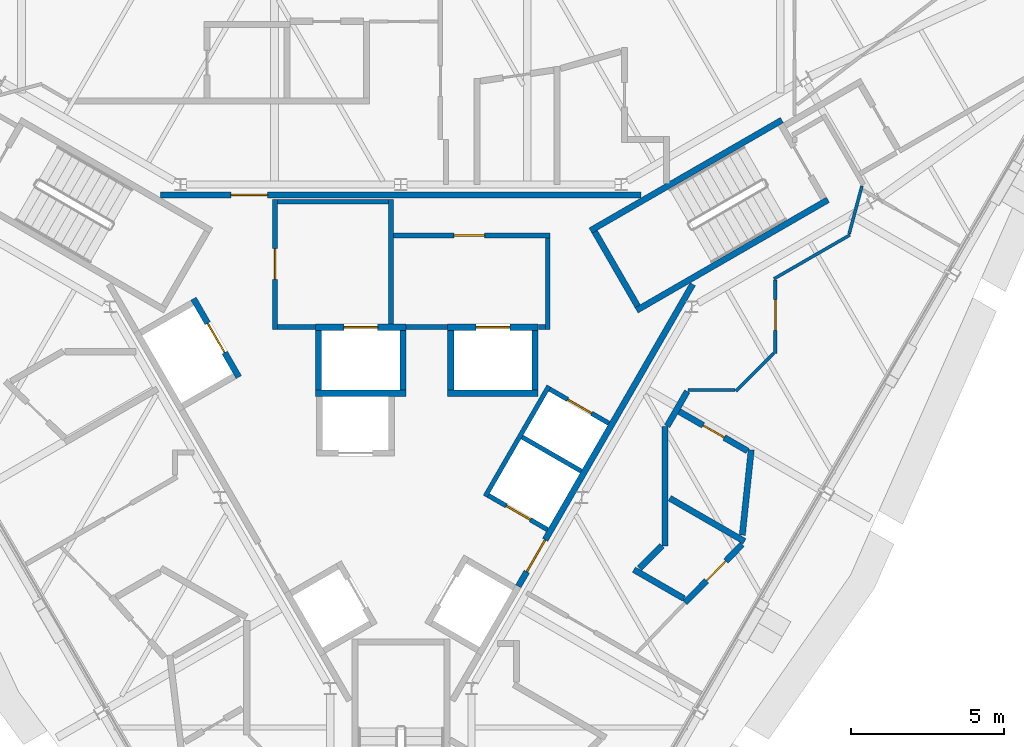
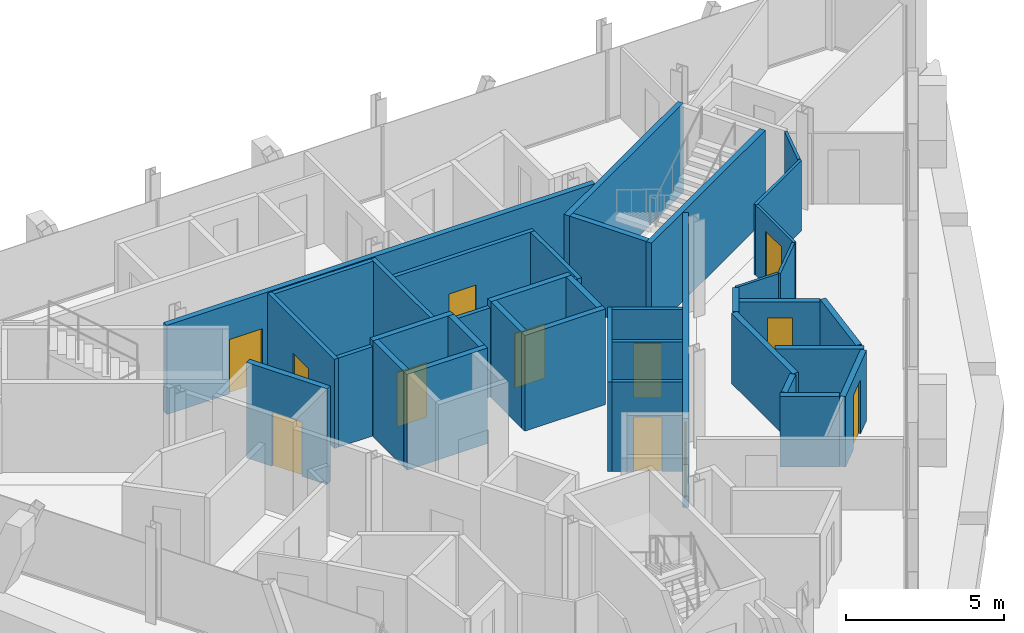
# One storey, part 10 of 14: 39 walls, 12 doors, 12 openings.
"""IFC4 building model written with IfcOpenShell, lengths in metres."""

from ifc_helpers import new_model, si_unit, direction, frame, frame_2d, origin, place, context, subcontext, project, spatial, rectangle, extrude, material, layer, layer_set, type_object, element, fill, save


model = new_model("IFC4")

# Units and contexts
model_context = context("Model", 3, precision=1e-05, world=origin(), true_north=direction((0.0, 1.0)))
body_context = subcontext(model_context, "Body", "Model", "MODEL_VIEW")
ifc_project = project(units=[si_unit("LENGTHUNIT", "METRE"), si_unit("AREAUNIT", "SQUARE_METRE"), si_unit("VOLUMEUNIT", "CUBIC_METRE"), si_unit("PLANEANGLEUNIT", "RADIAN"), si_unit("MASSUNIT", "GRAM", prefix="KILO")], contexts=[model_context])

# Site, building, storey
site_placement = place(None, origin())
site = spatial("IfcSite", under=ifc_project, at=site_placement, CompositionType="ELEMENT")
building_placement = place(site_placement, origin())
building = spatial("IfcBuilding", under=site, at=building_placement, Name="Verrane Prism Tower", CompositionType="ELEMENT")
storey_placement = place(building_placement, frame((0.0, 0.0, 293.60009765625)))
storey = spatial("IfcBuildingStorey", under=building, at=storey_placement, Name="L74", CompositionType="ELEMENT", Elevation=293.60009765625)

# Wall, opening, door
ifc_material_1 = material(Name="Gypsum board partition", Category="other")
ifc_layer_1 = layer(ifc_material_1, 0.199951171875)
ifc_layer_set_1 = layer_set([ifc_layer_1], Name="CW-200 core boundary wall 2 h")
wall_type_1 = type_object("IfcWallType", Name="CW-200 core boundary wall 2 h", PredefinedType="PARTITIONING", material=ifc_layer_set_1)
wall_1_placement = place(storey_placement, frame((7.8291015625, 6.4599609375, 0.0), z_axis=(0.0, 0.0, 1.0), x_axis=(-1.0, 0.0, 0.0)))
wall_1 = element("IfcWall", 1, at=wall_1_placement, inside=storey, type_object=wall_type_1, Name="Core boundary wall CW3-002", PredefinedType="PARTITIONING", context=body_context, shape_type="SweptSolid", body=[
    extrude(rectangle(XDim=15.658203125, YDim=0.199951171875, at=frame_2d((7.8291015625, 0.0))), origin(), (0.0, 0.0, 1.0), 3.449951171875),
])
opening_1_placement = place(wall_1_placement, frame((12.16796875, 0.0, 0.0)))
opening_1 = element("IfcOpeningElement", 2, at=opening_1_placement, cuts=wall_1, Name="Opening D72509", PredefinedType="OPENING", context=body_context, shape_type="SweptSolid", body=[
    extrude(rectangle(XDim=1.199951171875, YDim=2.10009765625, at=frame_2d((0.60009765625, 1.050048828125))), frame((0.0, 0.10986328125, 0.0), z_axis=(0.0, -1.0, 0.0), x_axis=(1.0, 0.0, 0.0)), (0.0, 0.0, 1.0), 0.219970703125),
])
ifc_material_2 = material(Name="Timber veneered door leaf", Category="wood")
door_type_1 = type_object("IfcDoorType", Name="DR-1200x2100 FD60 single leaf lift lobby", OperationType="NOTDEFINED", PredefinedType="DOOR", material=ifc_material_2)
door_1_placement = place(opening_1_placement, origin())
door_1 = element("IfcDoor", 3, at=door_1_placement, inside=storey, type_object=door_type_1, Name="Lift lobby door D72509", OperationType="SINGLE_SWING_RIGHT", OverallHeight=2.10009765625, OverallWidth=1.199951171875, PredefinedType="DOOR", context=body_context, shape_type="SweptSolid", body=[
    extrude(rectangle(XDim=1.199951171875, YDim=2.10009765625, at=frame_2d((0.60009765625, 1.050048828125))), frame((0.0, 0.02490234375, 0.0), z_axis=(0.0, -1.0, 0.0), x_axis=(1.0, 0.0, 0.0)), (0.0, 0.0, 1.0), 0.050048828125),
])
fill(opening_1, door_1)

wall_2_placement = place(storey_placement, frame((3.827880859375, -6.2900390625, 0.0), z_axis=(0.0, 0.0, 1.0), x_axis=(0.499979739078, 0.866037101117, 0.0)))
wall_2 = element("IfcWall", 4, at=wall_2_placement, inside=storey, type_object=wall_type_1, Name="Core boundary wall CW3-006", PredefinedType="PARTITIONING", context=body_context, shape_type="SweptSolid", body=[
    extrude(rectangle(XDim=11.36279296875, YDim=0.199951171875, at=frame_2d((5.681396484375, 0.0))), origin(), (0.0, 0.0, 1.0), 3.449951171875),
])
opening_2_placement = place(wall_2_placement, frame((0.550048828125, 0.0, 0.0)))
opening_2 = element("IfcOpeningElement", 5, at=opening_2_placement, cuts=wall_2, Name="Opening D72514", PredefinedType="OPENING", context=body_context, shape_type="SweptSolid", body=[
    extrude(rectangle(XDim=1.199951171875, YDim=2.10009765625, at=frame_2d((0.60009765625, 1.050048828125))), frame((0.0, 0.10986328125, 0.0), z_axis=(0.0, -1.0, 0.0), x_axis=(1.0, 0.0, 0.0)), (0.0, 0.0, 1.0), 0.219970703125),
])
door_2_placement = place(opening_2_placement, origin())
door_2 = element("IfcDoor", 6, at=door_2_placement, inside=storey, type_object=door_type_1, Name="Lift lobby door D72514", OperationType="SINGLE_SWING_RIGHT", OverallHeight=2.10009765625, OverallWidth=1.199951171875, PredefinedType="DOOR", context=body_context, shape_type="SweptSolid", body=[
    extrude(rectangle(XDim=1.199951171875, YDim=2.10009765625, at=frame_2d((0.60009765625, 1.050048828125))), frame((0.0, 0.02490234375, 0.0), z_axis=(0.0, -1.0, 0.0), x_axis=(1.0, 0.0, 0.0)), (0.0, 0.0, 1.0), 0.050048828125),
])
fill(opening_2, door_2)

# Walls
ifc_material_3 = material(Name="Concrete C40/50", Category="concrete")
ifc_layer_2 = layer(ifc_material_3, 0.199951171875)
ifc_layer_set_2 = layer_set([ifc_layer_2], Name="CW-200 stair core wall concrete C40/50 3 h")
wall_type_2 = type_object("IfcWallType", Name="CW-200 stair core wall concrete C40/50 3 h", PredefinedType="PARTITIONING", material=ifc_layer_set_2)
for number, where, z_axis, x_axis, name in (
    (7, (6.17822265625, 5.299072265625, 0.0), (0.0, 0.0, 1.0), (0.866033125095, 0.499986626058, 0.0), "Stair 1 enclosure wall"),
    (8, (7.67822265625, 2.700927734375, 0.0), (0.0, 0.0, 1.0), (0.866018442252, 0.500012057535, 0.0), "Stair 1 enclosure wall"),
):
    element("IfcWall", number, at=place(storey_placement, frame(where, z_axis=z_axis, x_axis=x_axis)), inside=storey, type_object=wall_type_2, Name=name, PredefinedType="PARTITIONING", context=body_context, shape_type="SweptSolid", body=[
        extrude(rectangle(XDim=7.199951171875, YDim=0.199951171875, at=frame_2d((3.60009765625, 0.0))), origin(), (0.0, 0.0, 1.0), 3.449951171875),
    ])
wall_3_placement = place(storey_placement, frame((7.71484375, 2.837646484375, 0.0), z_axis=(0.0, 0.0, 1.0), x_axis=(-0.500049511043, 0.865996816683, 0.0)))
element("IfcWall", 9, at=wall_3_placement, inside=storey, type_object=wall_type_2, Name="Stair 1 enclosure wall", PredefinedType="PARTITIONING", context=body_context, shape_type="SweptSolid", body=[
    extrude(rectangle(XDim=2.800048828125, YDim=0.199951171875, at=frame_2d((1.39990234375, 0.0))), origin(), (0.0, 0.0, 1.0), 3.449951171875),
])
ifc_material_4 = material(Name="Gypsum board shaft wall assembly", Category="other")
ifc_layer_3 = layer(ifc_material_4, 0.199951171875)
ifc_layer_set_3 = layer_set([ifc_layer_3], Name="HW-200 lift shaft wall 2 h")
wall_type_3 = type_object("IfcWallType", Name="HW-200 lift shaft wall 2 h", PredefinedType="PARTITIONING", material=ifc_layer_set_3)
wall_4_placement = place(storey_placement, frame((-2.784912109375, 0.0, 0.0), z_axis=(0.0, 0.0, 1.0), x_axis=(1.0, 0.0, 0.0)))
element("IfcWall", 10, at=wall_4_placement, inside=storey, type_object=wall_type_3, Name="Lift shaft wall", PredefinedType="PARTITIONING", context=body_context, shape_type="SweptSolid", body=[
    extrude(rectangle(XDim=2.949951171875, YDim=0.199951171875, at=frame_2d((1.47509765625, 0.0))), origin(), (0.0, 0.0, 1.0), 3.699951171875),
])
wall_5_placement = place(storey_placement, frame((1.52490234375, 0.0, 0.0), z_axis=(0.0, 0.0, 1.0), x_axis=(1.0, 0.0, 0.0)))
element("IfcWall", 11, at=wall_5_placement, inside=storey, type_object=wall_type_3, Name="Lift shaft wall", PredefinedType="PARTITIONING", context=body_context, shape_type="SweptSolid", body=[
    extrude(rectangle(XDim=2.9501953125, YDim=0.199951171875, at=frame_2d((1.47509765625, 0.0))), origin(), (0.0, 0.0, 1.0), 3.699951171875),
])

# Wall, opening, door
wall_6_placement = place(storey_placement, frame((-2.784912109375, 2.14990234375, 0.0), z_axis=(0.0, 0.0, 1.0), x_axis=(1.0, 0.0, 0.0)))
wall_6 = element("IfcWall", 12, at=wall_6_placement, inside=storey, type_object=wall_type_3, Name="Lift shaft wall", PredefinedType="PARTITIONING", context=body_context, shape_type="SweptSolid", body=[
    extrude(rectangle(XDim=2.949951171875, YDim=0.199951171875, at=frame_2d((1.47509765625, 0.0))), origin(), (0.0, 0.0, 1.0), 3.699951171875),
])
opening_3_placement = place(wall_6_placement, frame((0.925048828125, 0.0, 0.0)))
opening_3 = element("IfcOpeningElement", 13, at=opening_3_placement, cuts=wall_6, Name="Opening D72506", PredefinedType="OPENING", context=body_context, shape_type="SweptSolid", body=[
    extrude(rectangle(XDim=1.10009765625, YDim=2.10009765625, at=frame_2d((0.550048828125, 1.050048828125))), frame((0.0, 0.10986328125, 0.0), z_axis=(0.0, -1.0, 0.0), x_axis=(1.0, 0.0, 0.0)), (0.0, 0.0, 1.0), 0.219970703125),
])
ifc_material_5 = material(Name="Stainless steel sliding landing door", Category="steel")
door_type_2 = type_object("IfcDoorType", Name="LD-1100x2100 lift landing door FD90 sliding", OperationType="NOTDEFINED", PredefinedType="DOOR", material=ifc_material_5)
door_3_placement = place(opening_3_placement, origin())
door_3 = element("IfcDoor", 14, at=door_3_placement, inside=storey, type_object=door_type_2, Name="Fire service lift 1 landing door", OperationType="SLIDING_TO_LEFT", OverallHeight=2.10009765625, OverallWidth=1.10009765625, PredefinedType="DOOR", context=body_context, shape_type="SweptSolid", body=[
    extrude(rectangle(XDim=1.10009765625, YDim=2.10009765625, at=frame_2d((0.550048828125, 1.050048828125))), frame((0.0, 0.02490234375, 0.0), z_axis=(0.0, -1.0, 0.0), x_axis=(1.0, 0.0, 0.0)), (0.0, 0.0, 1.0), 0.050048828125),
])
fill(opening_3, door_3)

wall_7_placement = place(storey_placement, frame((1.52490234375, 2.14990234375, 0.0), z_axis=(0.0, 0.0, 1.0), x_axis=(1.0, 0.0, 0.0)))
wall_7 = element("IfcWall", 15, at=wall_7_placement, inside=storey, type_object=wall_type_3, Name="Lift shaft wall", PredefinedType="PARTITIONING", context=body_context, shape_type="SweptSolid", body=[
    extrude(rectangle(XDim=2.9501953125, YDim=0.199951171875, at=frame_2d((1.47509765625, 0.0))), origin(), (0.0, 0.0, 1.0), 3.699951171875),
])
opening_4_placement = place(wall_7_placement, frame((0.925048828125, 0.0, 0.0)))
opening_4 = element("IfcOpeningElement", 16, at=opening_4_placement, cuts=wall_7, Name="Opening D72507", PredefinedType="OPENING", context=body_context, shape_type="SweptSolid", body=[
    extrude(rectangle(XDim=1.10009765625, YDim=2.10009765625, at=frame_2d((0.550048828125, 1.050048828125))), frame((0.0, 0.10986328125, 0.0), z_axis=(0.0, -1.0, 0.0), x_axis=(1.0, 0.0, 0.0)), (0.0, 0.0, 1.0), 0.219970703125),
])
door_4_placement = place(opening_4_placement, origin())
door_4 = element("IfcDoor", 17, at=door_4_placement, inside=storey, type_object=door_type_2, Name="Fire service lift 2 landing door", OperationType="SLIDING_TO_RIGHT", OverallHeight=2.10009765625, OverallWidth=1.10009765625, PredefinedType="DOOR", context=body_context, shape_type="SweptSolid", body=[
    extrude(rectangle(XDim=1.10009765625, YDim=2.10009765625, at=frame_2d((0.550048828125, 1.050048828125))), frame((0.0, 0.02490234375, 0.0), z_axis=(0.0, -1.0, 0.0), x_axis=(1.0, 0.0, 0.0)), (0.0, 0.0, 1.0), 0.050048828125),
])
fill(opening_4, door_4)

# Walls
for number, where, z_axis, x_axis, name in (
    (18, (4.375, 0.10009765625, 0.0), (0.0, 0.0, 1.0), (0.0, 1.0, 0.0), "Lift shaft wall"),
    (19, (1.625, 0.10009765625, 0.0), (0.0, 0.0, 1.0), (0.0, 1.0, 0.0), "Lift shaft wall"),
    (20, (0.06494140625, 0.10009765625, 0.0), (0.0, 0.0, 1.0), (0.0, 1.0, 0.0), "Lift shaft wall"),
    (21, (-2.68505859375, 0.10009765625, 0.0), (0.0, 0.0, 1.0), (0.0, 1.0, 0.0), "Lift shaft wall"),
):
    element("IfcWall", number, at=place(storey_placement, frame(where, z_axis=z_axis, x_axis=x_axis)), inside=storey, type_object=wall_type_3, Name=name, PredefinedType="PARTITIONING", context=body_context, shape_type="SweptSolid", body=[
        extrude(rectangle(XDim=1.949951171875, YDim=0.199951171875, at=frame_2d((0.97509765625, 0.0))), origin(), (0.0, 0.0, 1.0), 3.699951171875),
    ])

# Wall, opening, door
wall_8_placement = place(storey_placement, frame((-5.280029296875, 0.525390625, 0.0), z_axis=(0.0, 0.0, 1.0), x_axis=(-0.500037662692, 0.866003658127, 0.0)))
wall_8 = element("IfcWall", 22, at=wall_8_placement, inside=storey, type_object=wall_type_3, Name="Lift shaft wall", PredefinedType="PARTITIONING", context=body_context, shape_type="SweptSolid", body=[
    extrude(rectangle(XDim=2.949951171875, YDim=0.199951171875, at=frame_2d((1.47509765625, 0.0))), origin(), (0.0, 0.0, 1.0), 3.699951171875),
])
opening_5_placement = place(wall_8_placement, frame((0.925048828125, 0.0, 0.0)))
opening_5 = element("IfcOpeningElement", 23, at=opening_5_placement, cuts=wall_8, Name="Opening D72508", PredefinedType="OPENING", context=body_context, shape_type="SweptSolid", body=[
    extrude(rectangle(XDim=1.10009765625, YDim=2.10009765625, at=frame_2d((0.550048828125, 1.050048828125))), frame((0.0, 0.10986328125, 0.0), z_axis=(0.0, -1.0, 0.0), x_axis=(1.0, 0.0, 0.0)), (0.0, 0.0, 1.0), 0.219970703125),
])
door_5_placement = place(opening_5_placement, origin())
door_5 = element("IfcDoor", 24, at=door_5_placement, inside=storey, type_object=door_type_2, Name="Service lift 1 landing door", OperationType="SLIDING_TO_LEFT", OverallHeight=2.10009765625, OverallWidth=1.10009765625, PredefinedType="DOOR", context=body_context, shape_type="SweptSolid", body=[
    extrude(rectangle(XDim=1.10009765625, YDim=2.10009765625, at=frame_2d((0.550048828125, 1.050048828125))), frame((0.0, 0.02490234375, 0.0), z_axis=(0.0, -1.0, 0.0), x_axis=(1.0, 0.0, 0.0)), (0.0, 0.0, 1.0), 0.050048828125),
])
fill(opening_5, door_5)

ifc_material_6 = material(Name="Gypsum board partition", Category="other")
ifc_layer_4 = layer(ifc_material_6, 0.14990234375)
ifc_layer_set_4 = layer_set([ifc_layer_4], Name="LF-150 firefighting lobby wall 1 h")
wall_type_4 = type_object("IfcWallType", Name="LF-150 firefighting lobby wall 1 h", PredefinedType="PARTITIONING", material=ifc_layer_set_4)
wall_9_placement = place(storey_placement, frame((-4.10009765625, 2.0849609375, 0.0), z_axis=(0.0, 0.0, 1.0), x_axis=(0.0, 1.0, 0.0)))
wall_9 = element("IfcWall", 25, at=wall_9_placement, inside=storey, type_object=wall_type_4, Name="Firefighting lobby wall LF1-001", PredefinedType="PARTITIONING", context=body_context, shape_type="SweptSolid", body=[
    extrude(rectangle(XDim=4.22998046875, YDim=0.14990234375, at=frame_2d((2.114990234375, 0.0))), origin(), (0.0, 0.0, 1.0), 3.449951171875),
])
opening_6_placement = place(wall_9_placement, frame((1.625, 0.0, 0.0)))
opening_6 = element("IfcOpeningElement", 26, at=opening_6_placement, cuts=wall_9, Name="Opening D72511", PredefinedType="OPENING", context=body_context, shape_type="SweptSolid", body=[
    extrude(rectangle(XDim=1.0, YDim=2.10009765625, at=frame_2d((0.5, 1.050048828125))), frame((0.0, 0.0849609375, 0.0), z_axis=(0.0, -1.0, 0.0), x_axis=(1.0, 0.0, 0.0)), (0.0, 0.0, 1.0), 0.169921875),
])
ifc_material_7 = material(Name="Timber veneered door leaf", Category="wood")
door_type_3 = type_object("IfcDoorType", Name="DR-1000x2100 FD60 single leaf firefighting lobby", OperationType="NOTDEFINED", PredefinedType="DOOR", material=ifc_material_7)
door_6_placement = place(opening_6_placement, origin())
door_6 = element("IfcDoor", 27, at=door_6_placement, inside=storey, type_object=door_type_3, Name="Firefighting lobby door D72511", OperationType="SINGLE_SWING_RIGHT", OverallHeight=2.10009765625, OverallWidth=1.0, PredefinedType="DOOR", context=body_context, shape_type="SweptSolid", body=[
    extrude(rectangle(XDim=1.0, YDim=2.10009765625, at=frame_2d((0.5, 1.050048828125))), frame((0.0, 0.02490234375, 0.0), z_axis=(0.0, -1.0, 0.0), x_axis=(1.0, 0.0, 0.0)), (0.0, 0.0, 1.0), 0.050048828125),
])
fill(opening_6, door_6)

# Walls
wall_10_placement = place(storey_placement, frame((-4.02490234375, 2.159912109375, 0.0), z_axis=(0.0, 0.0, 1.0), x_axis=(1.0, 0.0, 0.0)))
element("IfcWall", 28, at=wall_10_placement, inside=storey, type_object=wall_type_4, Name="Firefighting lobby wall LF1-002", PredefinedType="PARTITIONING", context=body_context, shape_type="SweptSolid", body=[
    extrude(rectangle(XDim=1.23779296875, YDim=0.14990234375, at=frame_2d((0.618896484375, 0.0))), origin(), (0.0, 0.0, 1.0), 3.449951171875),
])
wall_11_placement = place(storey_placement, frame((-4.02490234375, 6.239990234375, 0.0), z_axis=(0.0, 0.0, 1.0), x_axis=(1.0, 0.0, 0.0)))
element("IfcWall", 29, at=wall_11_placement, inside=storey, type_object=wall_type_4, Name="Firefighting lobby wall LF1-003", PredefinedType="PARTITIONING", context=body_context, shape_type="SweptSolid", body=[
    extrude(rectangle(XDim=3.6298828125, YDim=0.14990234375, at=frame_2d((1.81494140625, 0.0))), origin(), (0.0, 0.0, 1.0), 3.449951171875),
])
wall_12_placement = place(storey_placement, frame((-0.320068359375, 2.251953125, 0.0), z_axis=(0.0, 0.0, 1.0), x_axis=(0.0, 1.0, 0.0)))
element("IfcWall", 30, at=wall_12_placement, inside=storey, type_object=wall_type_4, Name="Firefighting lobby wall LF1-004", PredefinedType="PARTITIONING", context=body_context, shape_type="SweptSolid", body=[
    extrude(rectangle(XDim=4.06298828125, YDim=0.14990234375, at=frame_2d((2.031494140625, 0.0))), origin(), (0.0, 0.0, 1.0), 3.449951171875),
])

# Wall, opening, door
wall_13_placement = place(storey_placement, frame((-0.2451171875, 5.139892578125, 0.0), z_axis=(0.0, 0.0, 1.0), x_axis=(1.0, 0.0, 0.0)))
wall_13 = element("IfcWall", 31, at=wall_13_placement, inside=storey, type_object=wall_type_4, Name="Firefighting lobby wall LF1-005", PredefinedType="PARTITIONING", context=body_context, shape_type="SweptSolid", body=[
    extrude(rectangle(XDim=5.110107421875, YDim=0.14990234375, at=frame_2d((2.55517578125, 0.0))), origin(), (0.0, 0.0, 1.0), 3.449951171875),
])
opening_7_placement = place(wall_13_placement, frame((1.97509765625, 0.0, 0.0)))
opening_7 = element("IfcOpeningElement", 32, at=opening_7_placement, cuts=wall_13, Name="Opening D72512", PredefinedType="OPENING", context=body_context, shape_type="SweptSolid", body=[
    extrude(rectangle(XDim=1.0, YDim=2.10009765625, at=frame_2d((0.5, 1.050048828125))), frame((0.0, 0.0849609375, 0.0), z_axis=(0.0, -1.0, 0.0), x_axis=(1.0, 0.0, 0.0)), (0.0, 0.0, 1.0), 0.169921875),
])
door_7_placement = place(opening_7_placement, origin())
door_7 = element("IfcDoor", 33, at=door_7_placement, inside=storey, type_object=door_type_3, Name="Firefighting lobby door D72512", OperationType="SINGLE_SWING_LEFT", OverallHeight=2.10009765625, OverallWidth=1.0, PredefinedType="DOOR", context=body_context, shape_type="SweptSolid", body=[
    extrude(rectangle(XDim=1.0, YDim=2.10009765625, at=frame_2d((0.5, 1.050048828125))), frame((0.0, 0.02490234375, 0.0), z_axis=(0.0, -1.0, 0.0), x_axis=(1.0, 0.0, 0.0)), (0.0, 0.0, 1.0), 0.050048828125),
])
fill(opening_7, door_7)

# Walls
wall_14_placement = place(storey_placement, frame((0.1669921875, 2.159912109375, 0.0), z_axis=(0.0, 0.0, 1.0), x_axis=(1.0, 0.0, 0.0)))
element("IfcWall", 34, at=wall_14_placement, inside=storey, type_object=wall_type_4, Name="Firefighting lobby wall LF1-006", PredefinedType="PARTITIONING", context=body_context, shape_type="SweptSolid", body=[
    extrude(rectangle(XDim=1.35595703125, YDim=0.14990234375, at=frame_2d((0.677978515625, 0.0))), origin(), (0.0, 0.0, 1.0), 3.449951171875),
])
wall_15_placement = place(storey_placement, frame((4.47705078125, 2.159912109375, 0.0), z_axis=(0.0, 0.0, 1.0), x_axis=(1.0, 0.0, 0.0)))
element("IfcWall", 35, at=wall_15_placement, inside=storey, type_object=wall_type_4, Name="Firefighting lobby wall LF1-007", PredefinedType="PARTITIONING", context=body_context, shape_type="SweptSolid", body=[
    extrude(rectangle(XDim=0.238037109375, YDim=0.14990234375, at=frame_2d((0.119140625, 0.0))), origin(), (0.0, 0.0, 1.0), 3.449951171875),
])
wall_16_placement = place(storey_placement, frame((4.7900390625, 2.0849609375, 0.0), z_axis=(0.0, 0.0, 1.0), x_axis=(0.0, 1.0, 0.0)))
element("IfcWall", 36, at=wall_16_placement, inside=storey, type_object=wall_type_4, Name="Firefighting lobby wall LF1-008", PredefinedType="PARTITIONING", context=body_context, shape_type="SweptSolid", body=[
    extrude(rectangle(XDim=2.97998046875, YDim=0.14990234375, at=frame_2d((1.489990234375, 0.0))), origin(), (0.0, 0.0, 1.0), 3.449951171875),
])
ifc_material_8 = material(Name="Gypsum board partition", Category="other")
ifc_layer_5 = layer(ifc_material_8, 0.10009765625)
ifc_layer_set_5 = layer_set([ifc_layer_5], Name="PW-100 room partition")
wall_type_5 = type_object("IfcWallType", Name="PW-100 room partition", PredefinedType="PARTITIONING", material=ifc_layer_set_5)
wall_17_placement = place(storey_placement, frame((9.35302734375, 0.10107421875, 0.0), z_axis=(0.0, 0.0, 1.0), x_axis=(1.0, 0.0, 0.0)))
element("IfcWall", 37, at=wall_17_placement, inside=storey, type_object=wall_type_5, Name="Room partition 067", PredefinedType="PARTITIONING", context=body_context, shape_type="SweptSolid", body=[
    extrude(rectangle(XDim=1.52587890625, YDim=0.10009765625, at=frame_2d((0.762939453125, 0.0))), origin(), (0.0, 0.0, 1.0), 2.722900390625),
])
wall_18_placement = place(storey_placement, frame((10.91357421875, 0.065673828125, 0.0), z_axis=(0.0, 0.0, 1.0), x_axis=(0.707106781187, 0.707106781187, 0.0)))
element("IfcWall", 38, at=wall_18_placement, inside=storey, type_object=wall_type_5, Name="Room partition 068", PredefinedType="PARTITIONING", context=body_context, shape_type="SweptSolid", body=[
    extrude(rectangle(XDim=1.747802734375, YDim=0.10009765625, at=frame_2d((0.8740234375, 0.0))), origin(), (0.0, 0.0, 1.0), 2.722900390625),
])

# Wall, opening, door
wall_19_placement = place(storey_placement, frame((12.198974609375, 3.681884765625, 0.0), z_axis=(0.0, 0.0, 1.0), x_axis=(0.0, -1.0, 0.0)))
wall_19 = element("IfcWall", 39, at=wall_19_placement, inside=storey, type_object=wall_type_5, Name="Room partition 070", PredefinedType="PARTITIONING", context=body_context, shape_type="SweptSolid", body=[
    extrude(rectangle(XDim=2.380859375, YDim=0.10009765625, at=frame_2d((1.1904296875, 0.0))), origin(), (0.0, 0.0, 1.0), 2.722900390625),
])
opening_8_placement = place(wall_19_placement, frame((0.631103515625, 0.0, 0.0)))
opening_8 = element("IfcOpeningElement", 40, at=opening_8_placement, cuts=wall_19, Name="Opening D72005", PredefinedType="OPENING", context=body_context, shape_type="SweptSolid", body=[
    extrude(rectangle(XDim=1.0, YDim=2.10009765625, at=frame_2d((0.5, 1.050048828125))), frame((0.0, 0.06005859375, 0.0), z_axis=(0.0, -1.0, 0.0), x_axis=(1.0, 0.0, 0.0)), (0.0, 0.0, 1.0), 0.1201171875),
])
ifc_material_9 = material(Name="Timber veneered door leaf", Category="wood")
door_type_4 = type_object("IfcDoorType", Name="DR-1000x2100 single leaf inner", OperationType="NOTDEFINED", PredefinedType="DOOR", material=ifc_material_9)
door_8_placement = place(opening_8_placement, origin())
door_8 = element("IfcDoor", 41, at=door_8_placement, inside=storey, type_object=door_type_4, Name="Entrance Foyer door", OperationType="SINGLE_SWING_RIGHT", OverallHeight=2.10009765625, OverallWidth=1.0, PredefinedType="DOOR", context=body_context, shape_type="SweptSolid", body=[
    extrude(rectangle(XDim=1.0, YDim=2.10009765625, at=frame_2d((0.5, 1.050048828125))), frame((0.0, 0.02490234375, 0.0), z_axis=(0.0, -1.0, 0.0), x_axis=(1.0, 0.0, 0.0)), (0.0, 0.0, 1.0), 0.050048828125),
])
fill(opening_8, door_8)

# Walls
wall_20_placement = place(storey_placement, frame((12.15576171875, 3.72705078125, 0.0), z_axis=(0.0, 0.0, 1.0), x_axis=(0.866012137121, 0.500022977831, 0.0)))
element("IfcWall", 42, at=wall_20_placement, inside=storey, type_object=wall_type_5, Name="Room partition 071", PredefinedType="PARTITIONING", context=body_context, shape_type="SweptSolid", body=[
    extrude(rectangle(XDim=2.859619140625, YDim=0.10009765625, at=frame_2d((1.4296875, 0.0))), origin(), (0.0, 0.0, 1.0), 2.722900390625),
])
wall_21_placement = place(storey_placement, frame((14.607177734375, 5.19970703125, 0.0), z_axis=(0.0, 0.0, 1.0), x_axis=(0.258589257768, 0.965987368327, 0.0)))
element("IfcWall", 43, at=wall_21_placement, inside=storey, type_object=wall_type_5, Name="Room partition 078", PredefinedType="PARTITIONING", context=body_context, shape_type="SweptSolid", body=[
    extrude(rectangle(XDim=1.60693359375, YDim=0.10009765625, at=frame_2d((0.803466796875, 0.0))), origin(), (0.0, 0.0, 1.0), 2.722900390625),
])
ifc_material_10 = material(Name="Gypsum board partition", Category="other")
ifc_layer_6 = layer(ifc_material_10, 0.199951171875)
ifc_layer_set_6 = layer_set([ifc_layer_6], Name="PW-200 plumbing wall")
wall_type_6 = type_object("IfcWallType", Name="PW-200 plumbing wall", PredefinedType="PARTITIONING", material=ifc_layer_set_6)
wall_22_placement = place(storey_placement, frame((7.77197265625, -5.7060546875, 0.0), z_axis=(0.0, 0.0, 1.0), x_axis=(0.707106781187, 0.707106781187, 0.0)))
element("IfcWall", 44, at=wall_22_placement, inside=storey, type_object=wall_type_6, Name="Plumbing wall 059", PredefinedType="PARTITIONING", context=body_context, shape_type="SweptSolid", body=[
    extrude(rectangle(XDim=1.043701171875, YDim=0.199951171875, at=frame_2d((0.52197265625, 0.0))), origin(), (0.0, 0.0, 1.0), 2.722900390625),
])
wall_23_placement = place(storey_placement, frame((7.593505859375, -5.748046875, 0.0), z_axis=(0.0, 0.0, 1.0), x_axis=(0.866049635583, -0.499958026946, 0.0)))
element("IfcWall", 45, at=wall_23_placement, inside=storey, type_object=wall_type_6, Name="Plumbing wall 060", PredefinedType="PARTITIONING", context=body_context, shape_type="SweptSolid", body=[
    extrude(rectangle(XDim=1.884033203125, YDim=0.199951171875, at=frame_2d((0.94189453125, 0.0))), origin(), (0.0, 0.0, 1.0), 2.722900390625),
])
wall_24_placement = place(storey_placement, frame((8.60888671875, -4.968994140625, 0.0), z_axis=(0.0, 0.0, 1.0), x_axis=(0.0, 1.0, 0.0)))
element("IfcWall", 46, at=wall_24_placement, inside=storey, type_object=wall_type_6, Name="Plumbing wall 061", PredefinedType="PARTITIONING", context=body_context, shape_type="SweptSolid", body=[
    extrude(rectangle(XDim=3.881103515625, YDim=0.199951171875, at=frame_2d((1.9404296875, 0.0))), origin(), (0.0, 0.0, 1.0), 2.722900390625),
])
wall_25_placement = place(storey_placement, frame((8.759033203125, -3.419677734375, 0.0), z_axis=(0.0, 0.0, 1.0), x_axis=(0.866098885879, -0.499872703674, 0.0)))
element("IfcWall", 47, at=wall_25_placement, inside=storey, type_object=wall_type_6, Name="Plumbing wall 062", PredefinedType="PARTITIONING", context=body_context, shape_type="SweptSolid", body=[
    extrude(rectangle(XDim=2.813232421875, YDim=0.199951171875, at=frame_2d((1.40673828125, 0.0))), origin(), (0.0, 0.0, 1.0), 2.722900390625),
])
wall_26_placement = place(storey_placement, frame((8.676513671875, -1.071044921875, 0.0), z_axis=(0.0, 0.0, 1.0), x_axis=(0.49993245451, 0.866064397679, 0.0)))
element("IfcWall", 48, at=wall_26_placement, inside=storey, type_object=wall_type_6, Name="Plumbing wall 063", PredefinedType="PARTITIONING", context=body_context, shape_type="SweptSolid", body=[
    extrude(rectangle(XDim=1.308349609375, YDim=0.199951171875, at=frame_2d((0.654296875, 0.0))), origin(), (0.0, 0.0, 1.0), 2.722900390625),
])

# Wall, opening, door
wall_27_placement = place(storey_placement, frame((11.29248046875, -1.87890625, 0.0), z_axis=(0.0, 0.0, 1.0), x_axis=(-0.866123870273, 0.499829412243, 0.0)))
wall_27 = element("IfcWall", 49, at=wall_27_placement, inside=storey, type_object=wall_type_6, Name="Plumbing wall 065", PredefinedType="PARTITIONING", context=body_context, shape_type="SweptSolid", body=[
    extrude(rectangle(XDim=2.56884765625, YDim=0.199951171875, at=frame_2d((1.284423828125, 0.0))), origin(), (0.0, 0.0, 1.0), 2.722900390625),
])
opening_9_placement = place(wall_27_placement, frame((0.86865234375, 0.0, 0.0)))
opening_9 = element("IfcOpeningElement", 50, at=opening_9_placement, cuts=wall_27, Name="Opening D72008", PredefinedType="OPENING", context=body_context, shape_type="SweptSolid", body=[
    extrude(rectangle(XDim=0.800048828125, YDim=2.10009765625, at=frame_2d((0.39990234375, 1.050048828125))), frame((0.0, 0.10986328125, 0.0), z_axis=(0.0, -1.0, 0.0), x_axis=(1.0, 0.0, 0.0)), (0.0, 0.0, 1.0), 0.219970703125),
])
ifc_material_11 = material(Name="Timber veneered door leaf", Category="wood")
door_type_5 = type_object("IfcDoorType", Name="DR-800x2100 single leaf inner", OperationType="NOTDEFINED", PredefinedType="DOOR", material=ifc_material_11)
door_9_placement = place(opening_9_placement, origin())
door_9 = element("IfcDoor", 51, at=door_9_placement, inside=storey, type_object=door_type_5, Name="Bathroom door", OperationType="SINGLE_SWING_LEFT", OverallHeight=2.10009765625, OverallWidth=0.800048828125, PredefinedType="DOOR", context=body_context, shape_type="SweptSolid", body=[
    extrude(rectangle(XDim=0.800048828125, YDim=2.10009765625, at=frame_2d((0.39990234375, 1.050048828125))), frame((0.0, 0.02490234375, 0.0), z_axis=(0.0, -1.0, 0.0), x_axis=(1.0, 0.0, 0.0)), (0.0, 0.0, 1.0), 0.050048828125),
])
fill(opening_9, door_9)

wall_28_placement = place(storey_placement, frame((9.259033203125, -6.8212890625, 0.0), z_axis=(0.0, 0.0, 1.0), x_axis=(0.700360124324, 0.713789672282, 0.0)))
wall_28 = element("IfcWall", 52, at=wall_28_placement, inside=storey, type_object=wall_type_6, Name="Plumbing wall 066", PredefinedType="PARTITIONING", context=body_context, shape_type="SweptSolid", body=[
    extrude(rectangle(XDim=2.654296875, YDim=0.199951171875, at=frame_2d((1.3271484375, 0.0))), origin(), (0.0, 0.0, 1.0), 2.722900390625),
])
opening_10_placement = place(wall_28_placement, frame((1.0, 0.0, 0.0)))
opening_10 = element("IfcOpeningElement", 53, at=opening_10_placement, cuts=wall_28, Name="Opening D72006", PredefinedType="OPENING", context=body_context, shape_type="SweptSolid", body=[
    extrude(rectangle(XDim=0.89990234375, YDim=2.10009765625, at=frame_2d((0.449951171875, 1.050048828125))), frame((0.0, 0.10986328125, 0.0), z_axis=(0.0, -1.0, 0.0), x_axis=(1.0, 0.0, 0.0)), (0.0, 0.0, 1.0), 0.219970703125),
])
ifc_material_12 = material(Name="Timber veneered door leaf", Category="wood")
door_type_6 = type_object("IfcDoorType", Name="DR-900x2100 single leaf inner", OperationType="NOTDEFINED", PredefinedType="DOOR", material=ifc_material_12)
door_10_placement = place(opening_10_placement, origin())
door_10 = element("IfcDoor", 54, at=door_10_placement, inside=storey, type_object=door_type_6, Name="Kitchen door", OperationType="SINGLE_SWING_RIGHT", OverallHeight=2.10009765625, OverallWidth=0.89990234375, PredefinedType="DOOR", context=body_context, shape_type="SweptSolid", body=[
    extrude(rectangle(XDim=0.89990234375, YDim=2.10009765625, at=frame_2d((0.449951171875, 1.050048828125))), frame((0.0, 0.02490234375, 0.0), z_axis=(0.0, -1.0, 0.0), x_axis=(1.0, 0.0, 0.0)), (0.0, 0.0, 1.0), 0.050048828125),
])
fill(opening_10, door_10)

# Walls
wall_29_placement = place(storey_placement, frame((11.125, -4.621826171875, 0.0), z_axis=(0.0, 0.0, 1.0), x_axis=(0.103952036587, 0.99458231137, 0.0)))
element("IfcWall", 55, at=wall_29_placement, inside=storey, type_object=wall_type_6, Name="Plumbing wall 069", PredefinedType="PARTITIONING", context=body_context, shape_type="SweptSolid", body=[
    extrude(rectangle(XDim=2.79248046875, YDim=0.199951171875, at=frame_2d((1.396240234375, 0.0))), origin(), (0.0, 0.0, 1.0), 2.722900390625),
])
ifc_material_13 = material(Name="Gypsum board partition", Category="other")
ifc_layer_7 = layer(ifc_material_13, 0.14990234375)
ifc_layer_set_7 = layer_set([ifc_layer_7], Name="RS-150 riser enclosure wall 1 h")
wall_type_7 = type_object("IfcWallType", Name="RS-150 riser enclosure wall 1 h", PredefinedType="PARTITIONING", material=ifc_layer_set_7)
wall_30_placement = place(storey_placement, frame((2.74853515625, -3.35888671875, 0.0), z_axis=(0.0, 0.0, 1.0), x_axis=(0.500017827812, 0.866015110648, 0.0)))
element("IfcWall", 56, at=wall_30_placement, inside=storey, type_object=wall_type_7, Name="Riser wall RS3-001", PredefinedType="PARTITIONING", context=body_context, shape_type="SweptSolid", body=[
    extrude(rectangle(XDim=4.149658203125, YDim=0.14990234375, at=frame_2d((2.07470703125, 0.0))), origin(), (0.0, 0.0, 1.0), 3.449951171875),
])

# Wall, opening, door
wall_31_placement = place(storey_placement, frame((2.85107421875, -3.33154296875, 0.0), z_axis=(0.0, 0.0, 1.0), x_axis=(0.866110524189, -0.499852538144, 0.0)))
wall_31 = element("IfcWall", 57, at=wall_31_placement, inside=storey, type_object=wall_type_7, Name="Riser wall RS3-002", PredefinedType="PARTITIONING", context=body_context, shape_type="SweptSolid", body=[
    extrude(rectangle(XDim=2.220458984375, YDim=0.14990234375, at=frame_2d((1.1103515625, 0.0))), origin(), (0.0, 0.0, 1.0), 3.449951171875),
])
opening_11_placement = place(wall_31_placement, frame((0.675048828125, 0.0, 0.0)))
opening_11 = element("IfcOpeningElement", 58, at=opening_11_placement, cuts=wall_31, Name="Opening D72513", PredefinedType="OPENING", context=body_context, shape_type="SweptSolid", body=[
    extrude(rectangle(XDim=0.89990234375, YDim=2.10009765625, at=frame_2d((0.449951171875, 1.050048828125))), frame((0.0, 0.0849609375, 0.0), z_axis=(0.0, -1.0, 0.0), x_axis=(1.0, 0.0, 0.0)), (0.0, 0.0, 1.0), 0.169921875),
])
ifc_material_14 = material(Name="Timber veneered door leaf", Category="wood")
door_type_7 = type_object("IfcDoorType", Name="DR-900x2100 FD60 single leaf riser", OperationType="NOTDEFINED", PredefinedType="DOOR", material=ifc_material_14)
door_11_placement = place(opening_11_placement, origin())
door_11 = element("IfcDoor", 59, at=door_11_placement, inside=storey, type_object=door_type_7, Name="Riser door D72513", OperationType="SINGLE_SWING_RIGHT", OverallHeight=2.10009765625, OverallWidth=0.89990234375, PredefinedType="DOOR", context=body_context, shape_type="SweptSolid", body=[
    extrude(rectangle(XDim=0.89990234375, YDim=2.10009765625, at=frame_2d((0.449951171875, 1.050048828125))), frame((0.0, 0.02490234375, 0.0), z_axis=(0.0, -1.0, 0.0), x_axis=(1.0, 0.0, 0.0)), (0.0, 0.0, 1.0), 0.050048828125),
])
fill(opening_11, door_11)

# Wall
wall_32_placement = place(storey_placement, frame((3.950927734375, -1.426513671875, 0.0), z_axis=(0.0, 0.0, 1.0), x_axis=(0.866062920605, -0.499935013329, 0.0)))
element("IfcWall", 60, at=wall_32_placement, inside=storey, type_object=wall_type_7, Name="Riser wall RS3-003", PredefinedType="PARTITIONING", context=body_context, shape_type="SweptSolid", body=[
    extrude(rectangle(XDim=2.220458984375, YDim=0.14990234375, at=frame_2d((1.1103515625, 0.0))), origin(), (0.0, 0.0, 1.0), 3.449951171875),
])

# Wall, opening, door
wall_33_placement = place(storey_placement, frame((6.774169921875, -0.9775390625, 0.0), z_axis=(0.0, 0.0, 1.0), x_axis=(-0.866062920605, 0.499935013329, 0.0)))
wall_33 = element("IfcWall", 61, at=wall_33_placement, inside=storey, type_object=wall_type_7, Name="Riser wall RS3-004", PredefinedType="PARTITIONING", context=body_context, shape_type="SweptSolid", body=[
    extrude(rectangle(XDim=2.220458984375, YDim=0.14990234375, at=frame_2d((1.1103515625, 0.0))), origin(), (0.0, 0.0, 1.0), 3.449951171875),
])
opening_12_placement = place(wall_33_placement, frame((0.6455078125, 0.0, 0.0)))
opening_12 = element("IfcOpeningElement", 62, at=opening_12_placement, cuts=wall_33, Name="Opening D72515", PredefinedType="OPENING", context=body_context, shape_type="SweptSolid", body=[
    extrude(rectangle(XDim=0.89990234375, YDim=2.10009765625, at=frame_2d((0.449951171875, 1.050048828125))), frame((0.0, 0.0849609375, 0.0), z_axis=(0.0, -1.0, 0.0), x_axis=(1.0, 0.0, 0.0)), (0.0, 0.0, 1.0), 0.169921875),
])
door_12_placement = place(opening_12_placement, origin())
door_12 = element("IfcDoor", 63, at=door_12_placement, inside=storey, type_object=door_type_7, Name="Riser door D72515", OperationType="SINGLE_SWING_RIGHT", OverallHeight=2.10009765625, OverallWidth=0.89990234375, PredefinedType="DOOR", context=body_context, shape_type="SweptSolid", body=[
    extrude(rectangle(XDim=0.89990234375, YDim=2.10009765625, at=frame_2d((0.449951171875, 1.050048828125))), frame((0.0, 0.02490234375, 0.0), z_axis=(0.0, -1.0, 0.0), x_axis=(1.0, 0.0, 0.0)), (0.0, 0.0, 1.0), 0.050048828125),
])
fill(opening_12, door_12)

save(model, "model.ifc")
